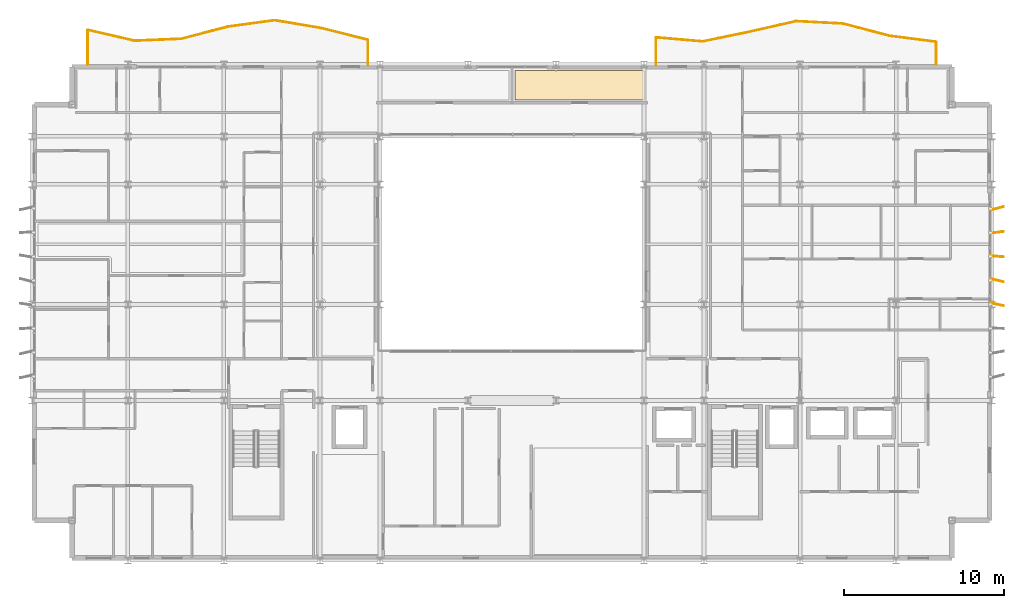
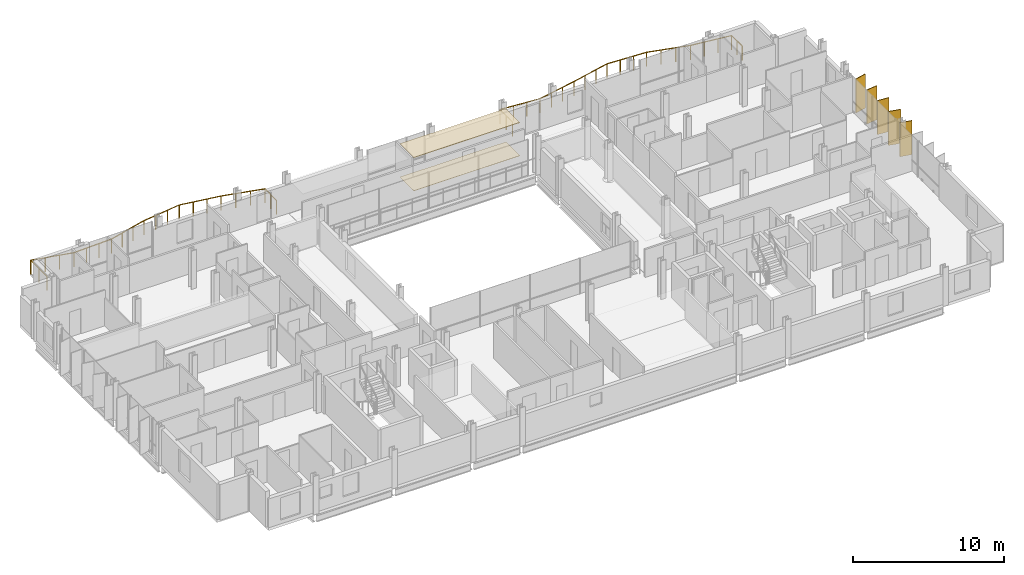
# One storey, part 40 of 40: 5 shading devices, 2 coverings, 2 railings.
"""IFC4 building model written with IfcOpenShell, lengths in metres."""

from ifc_helpers import new_model, si_unit, direction, frame, origin, origin_2d, place, context, subcontext, project, spatial, polyline, rectangle, circle, outline, extrude, material, layer, layer_set, type_object, element, save


model = new_model("IFC4")

# Units and contexts
model_context = context("Model", 3, precision=1e-05, world=origin(), true_north=direction((0.0, 1.0)))
body_context = subcontext(model_context, "Body", "Model", "MODEL_VIEW")
ifc_project = project(units=[si_unit("LENGTHUNIT", "METRE"), si_unit("AREAUNIT", "SQUARE_METRE"), si_unit("VOLUMEUNIT", "CUBIC_METRE"), si_unit("PLANEANGLEUNIT", "RADIAN"), si_unit("MASSUNIT", "GRAM", prefix="KILO")], contexts=[model_context])

# Site, building, storey
site_placement = place(None, origin())
site = spatial("IfcSite", under=ifc_project, at=site_placement, CompositionType="ELEMENT")
building_placement = place(site_placement, origin())
building = spatial("IfcBuilding", under=site, at=building_placement, Name="Brevholm Reach", CompositionType="ELEMENT")
storey_placement = place(building_placement, frame((0.0, 0.0, 160.39990234375)))
storey = spatial("IfcBuildingStorey", under=building, at=storey_placement, Name="L48", CompositionType="ELEMENT", Elevation=160.39990234375)

# Coverings
ifc_material_1 = material(Name="Perforated Mineral-Fibre Class-A Acoustic Suspended Ceiling", Category="gypsum")
ifc_layer_1 = layer(ifc_material_1, 0.044921875)
ifc_layer_set_1 = layer_set([ifc_layer_1], Name="Perforated Mineral-Fibre Class-A Acoustic Suspended Ceiling")
covering_type_1 = type_object("IfcCoveringType", Name="COV-CLG-AC", PredefinedType="CEILING", material=ifc_layer_set_1)
covering_1_placement = place(storey_placement, frame((0.0, 0.0, 2.6650390625)))
element("IfcCovering", 1, at=covering_1_placement, inside=storey, type_object=covering_type_1, Name="L48 Suspended Ceiling L48-67", PredefinedType="CEILING", context=body_context, shape_type="SweptSolid", body=[
    extrude(outline(polyline([(32.626220703125, 30.6201171875), (32.6337890625, 30.6171875), (32.672119140625, 30.607666015625), (32.710693359375, 30.601806640625), (32.75, 30.60009765625), (32.789306640625, 30.601806640625), (32.827880859375, 30.607666015625), (32.8662109375, 30.6171875), (32.873779296875, 30.6201171875), (38.126220703125, 30.6201171875), (38.1337890625, 30.6171875), (38.172119140625, 30.607666015625), (38.210693359375, 30.601806640625), (38.25, 30.60009765625), (38.26611328125, 30.600830078125), (38.26611328125, 28.783935546875), (30.18408203125, 28.783935546875), (30.18408203125, 30.6201171875), (32.626220703125, 30.6201171875)])), origin(), (0.0, 0.0, 1.0), 0.045166015625),
])
ifc_material_2 = material(Name="Engineered European Oak Acoustic Plank Flooring", Category="timber")
ifc_layer_2 = layer(ifc_material_2, 0.02197265625)
ifc_layer_set_2 = layer_set([ifc_layer_2], Name="Engineered European Oak Acoustic Plank Flooring")
covering_type_2 = type_object("IfcCoveringType", Name="COV-FLR-OAK", PredefinedType="FLOORING", material=ifc_layer_set_2)
covering_2_placement = place(storey_placement, origin())
element("IfcCovering", 2, at=covering_2_placement, inside=storey, type_object=covering_type_2, Name="L48 Floor Finish L48-67", PredefinedType="FLOORING", context=body_context, shape_type="SweptSolid", body=[
    extrude(outline(polyline([(32.626220703125, 30.6201171875), (32.6337890625, 30.6171875), (32.672119140625, 30.607666015625), (32.710693359375, 30.601806640625), (32.75, 30.60009765625), (32.789306640625, 30.601806640625), (32.827880859375, 30.607666015625), (32.8662109375, 30.6171875), (32.873779296875, 30.6201171875), (38.126220703125, 30.6201171875), (38.1337890625, 30.6171875), (38.172119140625, 30.607666015625), (38.210693359375, 30.601806640625), (38.25, 30.60009765625), (38.26611328125, 30.600830078125), (38.26611328125, 28.783935546875), (30.18408203125, 28.783935546875), (30.18408203125, 30.6201171875), (32.626220703125, 30.6201171875)])), origin(), (0.0, 0.0, 1.0), 0.022216796875),
])

# Railings
ifc_material_3 = material(Name="Brushed Stainless Steel EN 1.4401 and Laminated Glass", Category="steel")
railing_type = type_object("IfcRailingType", Name="RAL-BALC-1150", PredefinedType="BALUSTRADE", material=ifc_material_3)
railing_1_placement = place(storey_placement, frame((56.5, 31.0, 0.0)))
element("IfcRailing", 3, at=railing_1_placement, inside=storey, type_object=railing_type, Name="L48 Guard Balustrade RAL-L48-BAL-NE", PredefinedType="BALUSTRADE", context=body_context, shape_type="SweptSolid", body=[
    extrude(circle(Radius=0.02392578125, at=origin_2d()), frame((0.0, 0.0, 1.1259765625), z_axis=(0.0, 1.0, 0.0), x_axis=(-1.0, 0.0, 0.0)), (0.0, 0.0, 1.0), 1.40380859375),
    extrude(circle(Radius=0.02392578125, at=origin_2d()), frame((0.0, 1.40380859375, 1.1259765625), z_axis=(-0.991825721968, 0.127599910828, 0.0), x_axis=(-0.127599910828, -0.991825721968, 0.0)), (0.0, 0.0, 1.0), 2.940673828125),
    extrude(circle(Radius=0.02392578125, at=origin_2d()), frame((-2.916748046875, 1.779052734375, 1.1259765625), z_axis=(-0.967287116441, 0.253684123205, 0.0), x_axis=(-0.253684123205, -0.967287116441, 0.0)), (0.0, 0.0, 1.0), 3.01513671875),
    extrude(circle(Radius=0.02392578125, at=origin_2d()), frame((-5.833251953125, 2.5439453125, 1.1259765625), z_axis=(-0.998720239463, 0.050575520622, 0.0), x_axis=(-0.050575520622, -0.998720239463, 0.0)), (0.0, 0.0, 1.0), 2.92041015625),
    extrude(circle(Radius=0.02392578125, at=origin_2d()), frame((-8.75, 2.691650390625, 1.1259765625), z_axis=(-0.975066268344, -0.221913884961, 0.0), x_axis=(0.221913884961, -0.975066268344, 0.0)), (0.0, 0.0, 1.0), 2.991455078125),
    extrude(circle(Radius=0.02392578125, at=origin_2d()), frame((-11.666748046875, 2.02783203125, 1.1259765625), z_axis=(-0.979367411888, -0.202087784221, 0.0), x_axis=(0.202087784221, -0.979367411888, 0.0)), (0.0, 0.0, 1.0), 2.97802734375),
    extrude(circle(Radius=0.02392578125, at=origin_2d()), frame((-14.583251953125, 1.426025390625, 1.1259765625), z_axis=(-0.996282713287, 0.086143805376, 0.0), x_axis=(-0.086143805376, -0.996282713287, 0.0)), (0.0, 0.0, 1.0), 2.927734375),
    extrude(circle(Radius=0.02392578125, at=origin_2d()), frame((-17.5, 1.67822265625, 1.1259765625), z_axis=(0.0, -1.0, 0.0), x_axis=(1.0, 0.0, 0.0)), (0.0, 0.0, 1.0), 1.67822265625),
    extrude(circle(Radius=0.02099609375, at=origin_2d()), origin(), (0.0, 0.0, 1.0), 1.101806640625),
    extrude(circle(Radius=0.02099609375, at=origin_2d()), frame((0.0, 0.701904296875, 0.0)), (0.0, 0.0, 1.0), 1.101806640625),
    extrude(circle(Radius=0.02099609375, at=origin_2d()), frame((0.0, 1.40380859375, 0.0)), (0.0, 0.0, 1.0), 1.101806640625),
    extrude(circle(Radius=0.02099609375, at=origin_2d()), frame((-0.97216796875, 1.52880859375, 0.0)), (0.0, 0.0, 1.0), 1.101806640625),
    extrude(circle(Radius=0.02099609375, at=origin_2d()), frame((-1.944580078125, 1.654052734375, 0.0)), (0.0, 0.0, 1.0), 1.101806640625),
    extrude(circle(Radius=0.02099609375, at=origin_2d()), frame((-2.916748046875, 1.779052734375, 0.0)), (0.0, 0.0, 1.0), 1.101806640625),
    extrude(circle(Radius=0.02099609375, at=origin_2d()), frame((-3.888916015625, 2.033935546875, 0.0)), (0.0, 0.0, 1.0), 1.101806640625),
    extrude(circle(Radius=0.02099609375, at=origin_2d()), frame((-4.861083984375, 2.2890625, 0.0)), (0.0, 0.0, 1.0), 1.101806640625),
    extrude(circle(Radius=0.02099609375, at=origin_2d()), frame((-5.833251953125, 2.5439453125, 0.0)), (0.0, 0.0, 1.0), 1.101806640625),
    extrude(circle(Radius=0.02099609375, at=origin_2d()), frame((-6.805419921875, 2.59326171875, 0.0)), (0.0, 0.0, 1.0), 1.101806640625),
    extrude(circle(Radius=0.02099609375, at=origin_2d()), frame((-7.77783203125, 2.642333984375, 0.0)), (0.0, 0.0, 1.0), 1.101806640625),
    extrude(circle(Radius=0.02099609375, at=origin_2d()), frame((-8.75, 2.691650390625, 0.0)), (0.0, 0.0, 1.0), 1.101806640625),
    extrude(circle(Radius=0.02099609375, at=origin_2d()), frame((-9.72216796875, 2.470458984375, 0.0)), (0.0, 0.0, 1.0), 1.101806640625),
    extrude(circle(Radius=0.02099609375, at=origin_2d()), frame((-10.694580078125, 2.2490234375, 0.0)), (0.0, 0.0, 1.0), 1.101806640625),
    extrude(circle(Radius=0.02099609375, at=origin_2d()), frame((-11.666748046875, 2.02783203125, 0.0)), (0.0, 0.0, 1.0), 1.101806640625),
    extrude(circle(Radius=0.02099609375, at=origin_2d()), frame((-12.638916015625, 1.8271484375, 0.0)), (0.0, 0.0, 1.0), 1.101806640625),
    extrude(circle(Radius=0.02099609375, at=origin_2d()), frame((-13.611083984375, 1.626708984375, 0.0)), (0.0, 0.0, 1.0), 1.101806640625),
    extrude(circle(Radius=0.02099609375, at=origin_2d()), frame((-14.583251953125, 1.426025390625, 0.0)), (0.0, 0.0, 1.0), 1.101806640625),
    extrude(circle(Radius=0.02099609375, at=origin_2d()), frame((-15.555419921875, 1.510009765625, 0.0)), (0.0, 0.0, 1.0), 1.101806640625),
    extrude(circle(Radius=0.02099609375, at=origin_2d()), frame((-16.52783203125, 1.59423828125, 0.0)), (0.0, 0.0, 1.0), 1.101806640625),
    extrude(circle(Radius=0.02099609375, at=origin_2d()), frame((-17.5, 1.67822265625, 0.0)), (0.0, 0.0, 1.0), 1.101806640625),
    extrude(circle(Radius=0.02099609375, at=origin_2d()), frame((-17.5, 0.839111328125, 0.0)), (0.0, 0.0, 1.0), 1.101806640625),
    extrude(circle(Radius=0.02099609375, at=origin_2d()), frame((-17.5, 0.0, 0.0)), (0.0, 0.0, 1.0), 1.101806640625),
])
railing_2_placement = place(storey_placement, frame((21.0, 31.0, 0.0)))
element("IfcRailing", 4, at=railing_2_placement, inside=storey, type_object=railing_type, Name="L48 Guard Balustrade RAL-L48-BAL-NW", PredefinedType="BALUSTRADE", context=body_context, shape_type="SweptSolid", body=[
    extrude(circle(Radius=0.02392578125, at=origin_2d()), frame((0.0, 0.0, 1.1259765625), z_axis=(0.0, 1.0, 0.0), x_axis=(-1.0, 0.0, 0.0)), (0.0, 0.0, 1.0), 1.52880859375),
    extrude(circle(Radius=0.02392578125, at=origin_2d()), frame((0.0, 1.52880859375, 1.1259765625), z_axis=(-0.969908046993, 0.243471518618, 0.0), x_axis=(-0.243471518618, -0.969908046993, 0.0)), (0.0, 0.0, 1.0), 3.00732421875),
    extrude(circle(Radius=0.02392578125, at=origin_2d()), frame((-2.916748046875, 2.260986328125, 1.1259765625), z_axis=(-0.986326897089, 0.164800643445, 0.0), x_axis=(-0.164800643445, -0.986326897089, 0.0)), (0.0, 0.0, 1.0), 2.95703125),
    extrude(circle(Radius=0.02392578125, at=origin_2d()), frame((-5.833251953125, 2.748291015625, 1.1259765625), z_axis=(-0.990787222307, -0.135427767141, 0.0), x_axis=(0.135427767141, -0.990787222307, 0.0)), (0.0, 0.0, 1.0), 2.94384765625),
    extrude(circle(Radius=0.02392578125, at=origin_2d()), frame((-8.75, 2.349609375, 1.1259765625), z_axis=(-0.967668860758, -0.252224058961, 0.0), x_axis=(0.252224058961, -0.967668860758, 0.0)), (0.0, 0.0, 1.0), 3.01416015625),
    extrude(circle(Radius=0.02392578125, at=origin_2d()), frame((-11.666748046875, 1.58935546875, 1.1259765625), z_axis=(-0.999139150441, -0.041484431493, 0.0), x_axis=(0.041484431493, -0.999139150441, 0.0)), (0.0, 0.0, 1.0), 2.9189453125),
    extrude(circle(Radius=0.02392578125, at=origin_2d()), frame((-14.583251953125, 1.46826171875, 1.1259765625), z_axis=(-0.974086615793, 0.226175296912, 0.0), x_axis=(-0.226175296912, -0.974086615793, 0.0)), (0.0, 0.0, 1.0), 2.994384765625),
    extrude(circle(Radius=0.02392578125, at=origin_2d()), frame((-17.5, 2.1455078125, 1.1259765625), z_axis=(0.0, -1.0, 0.0), x_axis=(1.0, 0.0, 0.0)), (0.0, 0.0, 1.0), 2.1455078125),
    extrude(circle(Radius=0.02099609375, at=origin_2d()), origin(), (0.0, 0.0, 1.0), 1.101806640625),
    extrude(circle(Radius=0.02099609375, at=origin_2d()), frame((0.0, 0.764404296875, 0.0)), (0.0, 0.0, 1.0), 1.101806640625),
    extrude(circle(Radius=0.02099609375, at=origin_2d()), frame((0.0, 1.52880859375, 0.0)), (0.0, 0.0, 1.0), 1.101806640625),
    extrude(circle(Radius=0.02099609375, at=origin_2d()), frame((-0.97216796875, 1.77294921875, 0.0)), (0.0, 0.0, 1.0), 1.101806640625),
    extrude(circle(Radius=0.02099609375, at=origin_2d()), frame((-1.944580078125, 2.016845703125, 0.0)), (0.0, 0.0, 1.0), 1.101806640625),
    extrude(circle(Radius=0.02099609375, at=origin_2d()), frame((-2.916748046875, 2.260986328125, 0.0)), (0.0, 0.0, 1.0), 1.101806640625),
    extrude(circle(Radius=0.02099609375, at=origin_2d()), frame((-3.888916015625, 2.42333984375, 0.0)), (0.0, 0.0, 1.0), 1.101806640625),
    extrude(circle(Radius=0.02099609375, at=origin_2d()), frame((-4.861083984375, 2.5859375, 0.0)), (0.0, 0.0, 1.0), 1.101806640625),
    extrude(circle(Radius=0.02099609375, at=origin_2d()), frame((-5.833251953125, 2.748291015625, 0.0)), (0.0, 0.0, 1.0), 1.101806640625),
    extrude(circle(Radius=0.02099609375, at=origin_2d()), frame((-6.805419921875, 2.615478515625, 0.0)), (0.0, 0.0, 1.0), 1.101806640625),
    extrude(circle(Radius=0.02099609375, at=origin_2d()), frame((-7.77783203125, 2.482421875, 0.0)), (0.0, 0.0, 1.0), 1.101806640625),
    extrude(circle(Radius=0.02099609375, at=origin_2d()), frame((-8.75, 2.349609375, 0.0)), (0.0, 0.0, 1.0), 1.101806640625),
    extrude(circle(Radius=0.02099609375, at=origin_2d()), frame((-9.72216796875, 2.09619140625, 0.0)), (0.0, 0.0, 1.0), 1.101806640625),
    extrude(circle(Radius=0.02099609375, at=origin_2d()), frame((-10.694580078125, 1.8427734375, 0.0)), (0.0, 0.0, 1.0), 1.101806640625),
    extrude(circle(Radius=0.02099609375, at=origin_2d()), frame((-11.666748046875, 1.58935546875, 0.0)), (0.0, 0.0, 1.0), 1.101806640625),
    extrude(circle(Radius=0.02099609375, at=origin_2d()), frame((-12.638916015625, 1.549072265625, 0.0)), (0.0, 0.0, 1.0), 1.101806640625),
    extrude(circle(Radius=0.02099609375, at=origin_2d()), frame((-13.611083984375, 1.508544921875, 0.0)), (0.0, 0.0, 1.0), 1.101806640625),
    extrude(circle(Radius=0.02099609375, at=origin_2d()), frame((-14.583251953125, 1.46826171875, 0.0)), (0.0, 0.0, 1.0), 1.101806640625),
    extrude(circle(Radius=0.02099609375, at=origin_2d()), frame((-15.555419921875, 1.694091796875, 0.0)), (0.0, 0.0, 1.0), 1.101806640625),
    extrude(circle(Radius=0.02099609375, at=origin_2d()), frame((-16.52783203125, 1.919677734375, 0.0)), (0.0, 0.0, 1.0), 1.101806640625),
    extrude(circle(Radius=0.02099609375, at=origin_2d()), frame((-17.5, 2.1455078125, 0.0)), (0.0, 0.0, 1.0), 1.101806640625),
    extrude(circle(Radius=0.02099609375, at=origin_2d()), frame((-17.5, 1.07275390625, 0.0)), (0.0, 0.0, 1.0), 1.101806640625),
    extrude(circle(Radius=0.02099609375, at=origin_2d()), frame((-17.5, 0.0, 0.0)), (0.0, 0.0, 1.0), 1.101806640625),
])

# Shading devices
ifc_material_4 = material(Name="Perforated Champagne-Bronze Anodised Aluminium", Category="aluminium")
ifc_layer_3 = layer(ifc_material_4, 0.054931640625)
ifc_layer_set_3 = layer_set([ifc_layer_3], Name="Perforated Champagne-Bronze Anodised Aluminium")
shading_device_type = type_object("IfcShadingDeviceType", Name="SHD-FIN-850", PredefinedType="USERDEFINED", material=ifc_layer_set_3)
for number, where, z_axis, x_axis, name in (
    (5, (60.31494140625, 16.0, 0.0703125), (0.0, 0.0, 1.0), (0.979120045322, -0.203282898563, 0.0), "L48 Perforated Solar Screen Fin 4"),
    (6, (60.31494140625, 17.5, 0.0703125), (0.0, 0.0, 1.0), (0.973223021221, -0.229862896019, 0.0), "L48 Perforated Solar Screen Fin 5"),
    (7, (60.31494140625, 19.0, 0.0703125), (0.0, 0.0, 1.0), (0.996431252462, -0.084408288202, 0.0), "L48 Perforated Solar Screen Fin 6"),
    (8, (60.31494140625, 20.5, 0.0703125), (0.0, 0.0, 1.0), (0.992002746941, 0.126216282869, 0.0), "L48 Perforated Solar Screen Fin 7"),
    (9, (60.31494140625, 22.0, 0.0703125), (0.0, 0.0, 1.0), (0.970783528053, 0.239956957935, 0.0), "L48 Perforated Solar Screen Fin 8"),
):
    element("IfcShadingDevice", number, at=place(storey_placement, frame(where, z_axis=z_axis, x_axis=x_axis)), inside=storey, type_object=shading_device_type, Name=name, ObjectType="SCREEN", PredefinedType="USERDEFINED", context=body_context, shape_type="SweptSolid", body=[
        extrude(rectangle(XDim=0.85009765625, YDim=0.054931640625, at=origin_2d()), origin(), (0.0, 0.0, 1.0), 2.739990234375),
    ])

save(model, "model.ifc")
